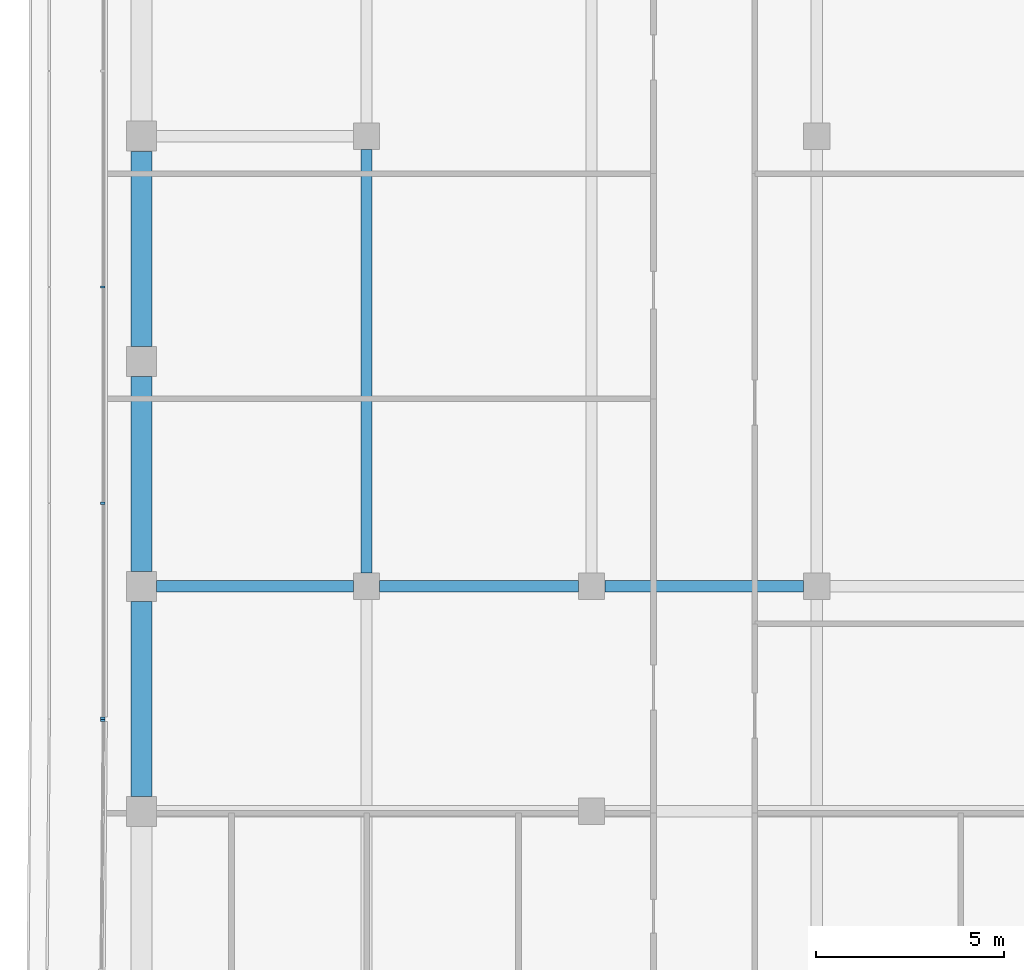
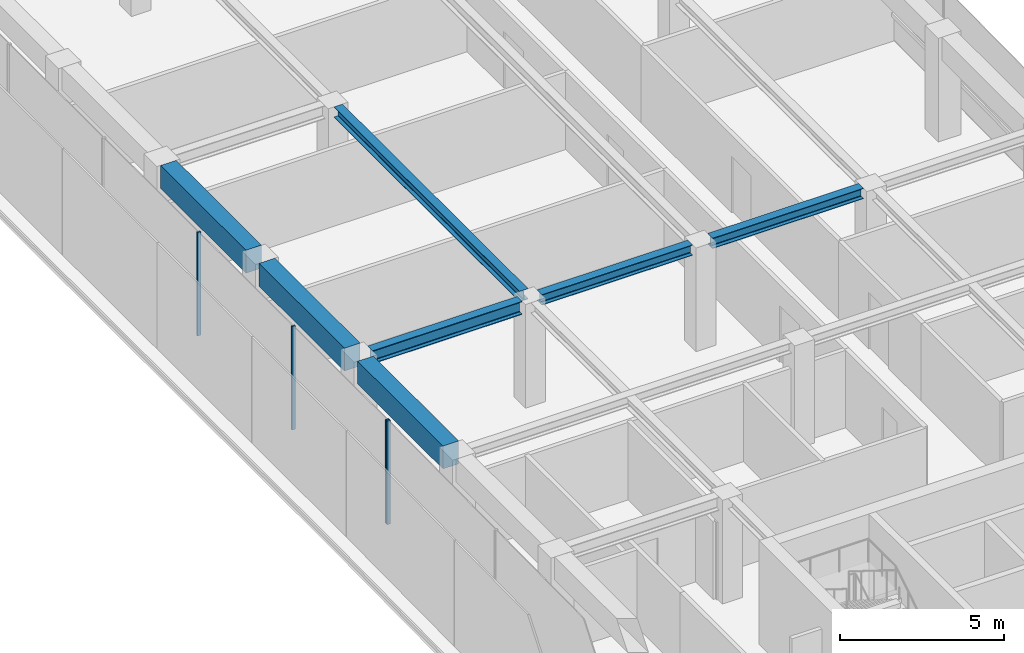
# One storey, part 7 of 19: 7 beams, 4 members, 2 elements without a shape of their own.
"""IFC4 building model written with IfcOpenShell, lengths in metres."""

from ifc_helpers import new_model, si_unit, direction, frame, origin, origin_2d, place, context, subcontext, project, spatial, rectangle, i_section, extrude, material, layer, layer_set, material_profile, profile_set, type_object, element, aggregate, save


model = new_model("IFC4")

# Units and contexts
model_context = context("Model", 3, precision=1e-05, world=origin(), true_north=direction((0.0, 1.0)))
body_context = subcontext(model_context, "Body", "Model", "MODEL_VIEW")
ifc_project = project(units=[si_unit("LENGTHUNIT", "METRE"), si_unit("AREAUNIT", "SQUARE_METRE"), si_unit("VOLUMEUNIT", "CUBIC_METRE"), si_unit("PLANEANGLEUNIT", "RADIAN"), si_unit("MASSUNIT", "GRAM", prefix="KILO")], contexts=[model_context])

# Site, building, storey
site_placement = place(None, origin())
site = spatial("IfcSite", under=ifc_project, at=site_placement, CompositionType="ELEMENT")
building_placement = place(site_placement, origin())
building = spatial("IfcBuilding", under=site, at=building_placement, Name="Welwitschia Terrace Campus", CompositionType="ELEMENT")
storey_placement = place(building_placement, frame((0.0, 0.0, 230.60009765625)))
storey = spatial("IfcBuildingStorey", under=building, at=storey_placement, Name="L51", CompositionType="ELEMENT", Elevation=230.60009765625)

# Beams
ifc_material_1 = material(Name="Steel S355", Category="steel")
ifc_material_profile_1 = material_profile(ifc_material_1, i_section(OverallWidth=0.300048828125, OverallDepth=0.389892578125, WebThickness=0.010986328125, FlangeThickness=0.01904296875, FilletRadius=0.027099609375, at=origin_2d()))
ifc_profile_set_1 = profile_set([ifc_material_profile_1], Name="Steel S355")
beam_type_1 = type_object("IfcBeamType", Name="Interior girder HE 400 A", PredefinedType="BEAM", material=ifc_profile_set_1)
for number, where, z_axis, x_axis, name in (
    (1, (6.3505859375, 40.0, 3.65478515625), (1.0, 0.0, 0.0), (0.0, 1.0, 0.0), "Girder GB5"),
    (2, (12.3505859375, 40.0, 3.65478515625), (1.0, 0.0, 0.0), (0.0, 1.0, 0.0), "Girder GB5"),
):
    element("IfcBeam", number, at=place(storey_placement, frame(where, z_axis=z_axis, x_axis=x_axis)), inside=storey, type_object=beam_type_1, Name=name, PredefinedType="BEAM", context=body_context, shape_type="SweptSolid", body=[
        extrude(i_section(OverallWidth=0.300048828125, OverallDepth=0.389892578125, WebThickness=0.010986328125, FlangeThickness=0.01904296875, FilletRadius=0.027099609375, at=origin_2d()), origin(), (0.0, 0.0, 1.0), 5.298828125),
    ])
beam_1_placement = place(storey_placement, frame((6.0, 40.3505859375, 3.65478515625), z_axis=(0.0, 1.0, 0.0), x_axis=(-1.0, 0.0, 0.0)))
element("IfcBeam", 3, at=beam_1_placement, inside=storey, type_object=beam_type_1, Name="Girder GB5", PredefinedType="BEAM", context=body_context, shape_type="SweptSolid", body=[
    extrude(i_section(OverallWidth=0.300048828125, OverallDepth=0.389892578125, WebThickness=0.010986328125, FlangeThickness=0.01904296875, FilletRadius=0.027099609375, at=origin_2d()), origin(), (0.0, 0.0, 1.0), 11.298828125),
])

# Curtain wall, members
ifc_material_2 = material(Name="Bronze anodised aluminium", Category="aluminium")
ifc_layer = layer(ifc_material_2, 0.1201171875)
ifc_layer_set = layer_set([ifc_layer], Name="Bronze anodised aluminium")
curtain_wall_type = type_object("IfcCurtainWallType", Name="Curtain wall CW2 tower 6000", PredefinedType="NOTDEFINED", material=ifc_layer_set)
curtain_wall_1_placement = place(storey_placement, origin())
curtain_wall_1 = element("IfcCurtainWall", 4, at=curtain_wall_1_placement, inside=storey, type_object=curtain_wall_type, Name="CW L51.1.0", PredefinedType="NOTDEFINED")
ifc_material_3 = material(Name="Bronze anodised aluminium", Category="aluminium")
ifc_material_profile_2 = material_profile(ifc_material_3, rectangle(XDim=0.1201171875, YDim=0.06005859375, at=origin_2d()))
ifc_profile_set_2 = profile_set([ifc_material_profile_2], Name="Bronze anodised aluminium")
member_type = type_object("IfcMemberType", Name="Mullion 60x120", PredefinedType="MULLION", material=ifc_profile_set_2)
member_1_placement = place(storey_placement, frame((-1.030029296875, 47.97900390625, 0.0), z_axis=(0.0, 0.0, 1.0), x_axis=(1.0, 0.0, 0.0)))
member_1 = element("IfcMember", 5, at=member_1_placement, type_object=member_type, Name="Mullion L51.1.0.4", PredefinedType="MULLION", context=body_context, shape_type="SweptSolid", body=[
    extrude(rectangle(XDim=0.1201171875, YDim=0.06005859375, at=origin_2d()), origin(), (0.0, 0.0, 1.0), 3.849853515625),
])
member_2_placement = place(storey_placement, frame((-1.030029296875, 42.21630859375, 0.0), z_axis=(0.0, 0.0, 1.0), x_axis=(1.0, 0.0, 0.0)))
member_2 = element("IfcMember", 6, at=member_2_placement, type_object=member_type, Name="Mullion L51.1.0.5", PredefinedType="MULLION", context=body_context, shape_type="SweptSolid", body=[
    extrude(rectangle(XDim=0.1201171875, YDim=0.06005859375, at=origin_2d()), origin(), (0.0, 0.0, 1.0), 3.849853515625),
])
member_3_placement = place(storey_placement, frame((-1.030029296875, 36.483642578125, 0.0), z_axis=(0.0, 0.0, 1.0), x_axis=(1.0, 0.0, 0.0)))
member_3 = element("IfcMember", 7, at=member_3_placement, type_object=member_type, Name="Mullion L51.1.0.6", PredefinedType="MULLION", context=body_context, shape_type="SweptSolid", body=[
    extrude(rectangle(XDim=0.1201171875, YDim=0.06005859375, at=origin_2d()), origin(), (0.0, 0.0, 1.0), 3.849853515625),
])
aggregate(curtain_wall_1, [member_1, member_2, member_3])

# Curtain wall, member
curtain_wall_2_placement = place(storey_placement, origin())
curtain_wall_2 = element("IfcCurtainWall", 8, at=curtain_wall_2_placement, inside=storey, type_object=curtain_wall_type, Name="CW L51.2.0", PredefinedType="NOTDEFINED")
member_4_placement = place(storey_placement, frame((-1.0302734375, 36.423583984375, 0.0), z_axis=(0.0, 0.0, 1.0), x_axis=(0.999961923064, -0.008726535498, 0.0)))
member_4 = element("IfcMember", 9, at=member_4_placement, type_object=member_type, Name="Mullion L51.2.0.0", PredefinedType="MULLION", context=body_context, shape_type="SweptSolid", body=[
    extrude(rectangle(XDim=0.1201171875, YDim=0.06005859375, at=origin_2d()), origin(), (0.0, 0.0, 1.0), 3.849853515625),
])
aggregate(curtain_wall_2, [member_4])

# Beams
ifc_material_4 = material(Name="Steel S355", Category="steel")
ifc_material_profile_3 = material_profile(ifc_material_4, i_section(OverallWidth=0.300048828125, OverallDepth=0.489990234375, WebThickness=0.011962890625, FlangeThickness=0.02294921875, FilletRadius=0.027099609375, at=origin_2d()))
ifc_profile_set_3 = profile_set([ifc_material_profile_3], Name="Steel S355")
beam_type_2 = type_object("IfcBeamType", Name="Primary beam HE 500 A", PredefinedType="BEAM", material=ifc_profile_set_3)
beam_2_placement = place(storey_placement, frame((0.400390625, 40.0, 3.60498046875), z_axis=(1.0, 0.0, 0.0), x_axis=(0.0, 1.0, 0.0)))
element("IfcBeam", 10, at=beam_2_placement, inside=storey, type_object=beam_type_2, Name="Primary beam PB5", PredefinedType="BEAM", context=body_context, shape_type="SweptSolid", body=[
    extrude(i_section(OverallWidth=0.300048828125, OverallDepth=0.489990234375, WebThickness=0.011962890625, FlangeThickness=0.02294921875, FilletRadius=0.027099609375, at=origin_2d()), origin(), (0.0, 0.0, 1.0), 5.2490234375),
])
ifc_material_5 = material(Name="Concrete C50/60", Category="concrete")
ifc_material_profile_4 = material_profile(ifc_material_5, rectangle(XDim=0.550048828125, YDim=0.85009765625, at=origin_2d()))
ifc_profile_set_4 = profile_set([ifc_material_profile_4], Name="Concrete C50/60")
beam_type_3 = type_object("IfcBeamType", Name="Ring spandrel 550x850", PredefinedType="SPANDREL", material=ifc_profile_set_4)
for number, where, z_axis, x_axis, name in (
    (11, (0.0, 51.599609375, 3.4248046875), (0.0, -1.0, 0.0), (1.0, 0.0, 0.0), "Spandrel SP3"),
    (12, (0.0, 45.599609375, 3.4248046875), (0.0, -1.0, 0.0), (1.0, 0.0, 0.0), "Spandrel SP3"),
    (13, (0.0, 39.599609375, 3.4248046875), (0.0, -1.0, 0.0), (1.0, 0.0, 0.0), "Spandrel SP3"),
):
    element("IfcBeam", number, at=place(storey_placement, frame(where, z_axis=z_axis, x_axis=x_axis)), inside=storey, type_object=beam_type_3, Name=name, PredefinedType="SPANDREL", context=body_context, shape_type="SweptSolid", body=[
        extrude(rectangle(XDim=0.550048828125, YDim=0.85009765625, at=origin_2d()), origin(), (0.0, 0.0, 1.0), 5.19921875),
    ])

save(model, "model.ifc")
